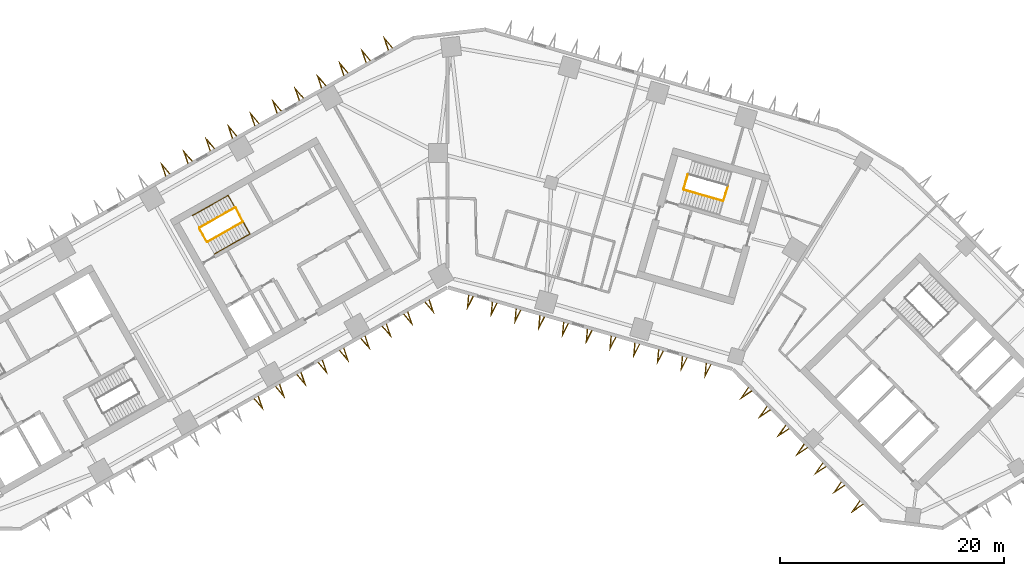
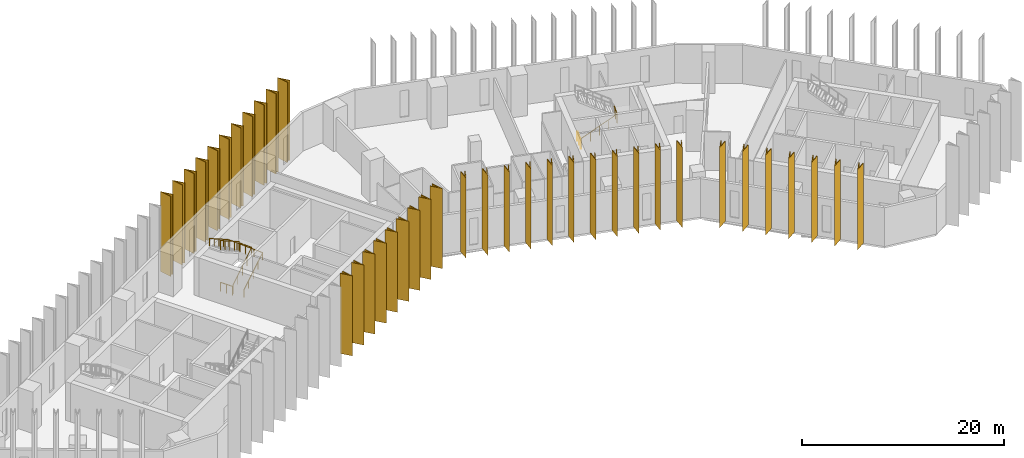
# One storey, part 10 of 11: 38 shading devices, 6 railings.
"""IFC4 building model written with IfcOpenShell, lengths in metres."""

from ifc_helpers import new_model, si_unit, direction, frame, origin, origin_2d, place, context, subcontext, project, spatial, polyline, circle, outline, extrude, material, type_object, element, save


model = new_model("IFC4")

# Units and contexts
model_context = context("Model", 3, precision=1e-05, world=origin(), true_north=direction((0.0, 1.0)))
body_context = subcontext(model_context, "Body", "Model", "MODEL_VIEW")
ifc_project = project(units=[si_unit("LENGTHUNIT", "METRE"), si_unit("AREAUNIT", "SQUARE_METRE"), si_unit("VOLUMEUNIT", "CUBIC_METRE"), si_unit("PLANEANGLEUNIT", "RADIAN"), si_unit("MASSUNIT", "GRAM", prefix="KILO")], contexts=[model_context])

# Site, building, storey
site_placement = place(None, origin())
site = spatial("IfcSite", under=ifc_project, at=site_placement, CompositionType="ELEMENT")
building_placement = place(site_placement, origin())
building = spatial("IfcBuilding", under=site, at=building_placement, Name="Binnacle Exchange Tower", CompositionType="ELEMENT")
storey_placement = place(building_placement, frame((0.0, 0.0, 66.5)))
storey = spatial("IfcBuildingStorey", under=building, at=storey_placement, Name="L13", CompositionType="ELEMENT", Elevation=66.5)

# Railings
ifc_material_1 = material(Name="Steel guard rail", Category="steel")
railing_type_1 = type_object("IfcRailingType", Name="STAIR GUARD 1100", PredefinedType="GUARDRAIL", material=ifc_material_1)
railing_1_placement = place(storey_placement, frame((-21.423828125, 52.07275390625, 0.178466796875)))
element("IfcRailing", 1, at=railing_1_placement, inside=storey, type_object=railing_type_1, Name="L13 STC1 stair guard 1", PredefinedType="GUARDRAIL", context=body_context, shape_type="SweptSolid", body=[
    extrude(circle(Radius=0.02392578125, at=origin_2d()), frame((0.0, 0.0, 1.076171875), z_axis=(0.733838880464, 0.415127627455, 0.537726278364), x_axis=(-0.492371057291, 0.870385398511, 0.0)), (0.0, 0.0, 1.0), 4.3173828125),
    extrude(circle(Radius=0.02392578125, at=origin_2d()), frame((3.168212890625, 1.792236328125, 3.3974609375), z_axis=(-0.461100321709, 0.887348011391, 0.0), x_axis=(-0.887348011391, -0.461100321709, 0.0)), (0.0, 0.0, 1.0), 1.40087890625),
    extrude(circle(Radius=0.02099609375, at=origin_2d()), origin(), (0.0, 0.0, 1.0), 1.052001953125),
    extrude(circle(Radius=0.02099609375, at=origin_2d()), frame((0.7919921875, 0.447998046875, 0.580322265625)), (0.0, 0.0, 1.0), 1.052001953125),
    extrude(circle(Radius=0.02099609375, at=origin_2d()), frame((1.583984375, 0.89599609375, 1.16064453125)), (0.0, 0.0, 1.0), 1.052001953125),
    extrude(circle(Radius=0.02099609375, at=origin_2d()), frame((2.376220703125, 1.34423828125, 1.7412109375)), (0.0, 0.0, 1.0), 1.052001953125),
    extrude(circle(Radius=0.02099609375, at=origin_2d()), frame((3.168212890625, 1.792236328125, 2.321533203125)), (0.0, 0.0, 1.0), 1.052001953125),
    extrude(circle(Radius=0.02099609375, at=origin_2d()), frame((2.84521484375, 2.413818359375, 2.321533203125)), (0.0, 0.0, 1.0), 1.052001953125),
    extrude(circle(Radius=0.02099609375, at=origin_2d()), frame((2.522216796875, 3.035400390625, 2.321533203125)), (0.0, 0.0, 1.0), 1.052001953125),
])
railing_2_placement = place(storey_placement, frame((-18.9697265625, 55.126953125, 2.678466796875)))
element("IfcRailing", 2, at=railing_2_placement, inside=storey, type_object=railing_type_1, Name="L13 STC1 stair guard 2", PredefinedType="GUARDRAIL", context=body_context, shape_type="SweptSolid", body=[
    extrude(circle(Radius=0.02392578125, at=origin_2d()), frame((0.0, 0.0, 1.076171875), z_axis=(-0.733812782489, -0.415144854829, 0.537748593457), x_axis=(0.492399802317, -0.870369137021, 0.0)), (0.0, 0.0, 1.0), 4.317138671875),
    extrude(circle(Radius=0.02099609375, at=origin_2d()), origin(), (0.0, 0.0, 1.0), 1.052001953125),
    extrude(circle(Radius=0.02099609375, at=origin_2d()), frame((-0.7919921875, -0.447998046875, 0.580322265625)), (0.0, 0.0, 1.0), 1.052001953125),
    extrude(circle(Radius=0.02099609375, at=origin_2d()), frame((-1.583984375, -0.89599609375, 1.16064453125)), (0.0, 0.0, 1.0), 1.052001953125),
    extrude(circle(Radius=0.02099609375, at=origin_2d()), frame((-2.3759765625, -1.34423828125, 1.7412109375)), (0.0, 0.0, 1.0), 1.052001953125),
    extrude(circle(Radius=0.02099609375, at=origin_2d()), frame((-3.16796875, -1.792236328125, 2.321533203125)), (0.0, 0.0, 1.0), 1.052001953125),
])
railing_3_placement = place(storey_placement, frame((-21.491943359375, 52.091552734375, 0.0)))
element("IfcRailing", 3, at=railing_3_placement, inside=storey, type_object=railing_type_1, Name="L13 STC1 stair guard 3", PredefinedType="GUARDRAIL", context=body_context, shape_type="SweptSolid", body=[
    extrude(circle(Radius=0.02392578125, at=origin_2d()), frame((0.0, 0.0, 1.076171875), z_axis=(-0.49241474071, 0.870360685654, 0.0), x_axis=(-0.870360685654, -0.49241474071, 0.0)), (0.0, 0.0, 1.0), 1.35009765625),
    extrude(circle(Radius=0.02099609375, at=origin_2d()), origin(), (0.0, 0.0, 1.0), 1.052001953125),
    extrude(circle(Radius=0.02099609375, at=origin_2d()), frame((-0.33251953125, 0.58740234375, 0.0)), (0.0, 0.0, 1.0), 1.052001953125),
    extrude(circle(Radius=0.02099609375, at=origin_2d()), frame((-0.664794921875, 1.175048828125, 0.0)), (0.0, 0.0, 1.0), 1.052001953125),
])
railing_4_placement = place(storey_placement, frame((21.086669921875, 56.71044921875, 0.178466796875)))
element("IfcRailing", 4, at=railing_4_placement, inside=storey, type_object=railing_type_1, Name="L13 STD1 stair guard 1", PredefinedType="GUARDRAIL", context=body_context, shape_type="SweptSolid", body=[
    extrude(circle(Radius=0.02392578125, at=origin_2d()), frame((0.0, 0.0, 1.076171875), z_axis=(0.810455892038, -0.232415135102, 0.537721537635), x_axis=(0.275659984683, 0.961255206927, 0.0)), (0.0, 0.0, 1.0), 4.3173828125),
    extrude(circle(Radius=0.02392578125, at=origin_2d()), frame((3.4990234375, -1.00341796875, 3.3974609375), z_axis=(0.309684985722, 0.950839213337, 0.0), x_axis=(-0.950839213337, 0.309684985722, 0.0)), (0.0, 0.0, 1.0), 1.40087890625),
    extrude(circle(Radius=0.02099609375, at=origin_2d()), origin(), (0.0, 0.0, 1.0), 1.052001953125),
    extrude(circle(Radius=0.02099609375, at=origin_2d()), frame((0.874755859375, -0.2509765625, 0.580322265625)), (0.0, 0.0, 1.0), 1.052001953125),
    extrude(circle(Radius=0.02099609375, at=origin_2d()), frame((1.74951171875, -0.501708984375, 1.16064453125)), (0.0, 0.0, 1.0), 1.052001953125),
    extrude(circle(Radius=0.02099609375, at=origin_2d()), frame((2.624267578125, -0.75244140625, 1.7412109375)), (0.0, 0.0, 1.0), 1.052001953125),
    extrude(circle(Radius=0.02099609375, at=origin_2d()), frame((3.4990234375, -1.00341796875, 2.321533203125)), (0.0, 0.0, 1.0), 1.052001953125),
    extrude(circle(Radius=0.02099609375, at=origin_2d()), frame((3.7158203125, -0.33740234375, 2.321533203125)), (0.0, 0.0, 1.0), 1.052001953125),
    extrude(circle(Radius=0.02099609375, at=origin_2d()), frame((3.932861328125, 0.32861328125, 2.321533203125)), (0.0, 0.0, 1.0), 1.052001953125),
])
railing_5_placement = place(storey_placement, frame((21.05224609375, 56.772216796875, 0.0)))
element("IfcRailing", 5, at=railing_5_placement, inside=storey, type_object=railing_type_1, Name="L13 STD1 stair guard 3", PredefinedType="GUARDRAIL", context=body_context, shape_type="SweptSolid", body=[
    extrude(circle(Radius=0.02392578125, at=origin_2d()), frame((0.0, 0.0, 1.076171875), z_axis=(0.275795817769, 0.961216243569, 0.0), x_axis=(-0.961216243569, 0.275795817769, 0.0)), (0.0, 0.0, 1.0), 1.349853515625),
    extrude(circle(Radius=0.02099609375, at=origin_2d()), origin(), (0.0, 0.0, 1.0), 1.052001953125),
    extrude(circle(Radius=0.02099609375, at=origin_2d()), frame((0.18603515625, 0.64892578125, 0.0)), (0.0, 0.0, 1.0), 1.052001953125),
    extrude(circle(Radius=0.02099609375, at=origin_2d()), frame((0.372314453125, 1.297607421875, 0.0)), (0.0, 0.0, 1.0), 1.052001953125),
])
ifc_material_2 = material(Name="Steel handrail", Category="steel")
railing_type_2 = type_object("IfcRailingType", Name="STAIR HANDRAIL 900", PredefinedType="HANDRAIL", material=ifc_material_2)
railing_6_placement = place(storey_placement, frame((-20.808349609375, 50.984619140625, 0.178466796875)))
element("IfcRailing", 6, at=railing_6_placement, inside=storey, type_object=railing_type_2, Name="L13 STC1 stair handrail 1", PredefinedType="HANDRAIL", context=body_context, shape_type="SweptSolid", body=[
    extrude(circle(Radius=0.02392578125, at=origin_2d()), frame((0.0, 0.0, 0.8759765625), z_axis=(0.733821652932, 0.415174429824, 0.537713654753), x_axis=(-0.492421866095, 0.870356654361, 0.0)), (0.0, 0.0, 1.0), 4.3173828125),
    extrude(circle(Radius=0.02392578125, at=origin_2d()), frame((3.168212890625, 1.79248046875, 3.197265625), z_axis=(-0.491911810019, 0.86947434526, 0.045134621956), x_axis=(-0.870361318571, -0.492413622004, 0.0)), (0.0, 0.0, 1.0), 3.9541015625),
    extrude(circle(Radius=0.02392578125, at=origin_2d()), frame((1.22314453125, 5.23046875, 3.3759765625), z_axis=(-0.733821652932, -0.415174429824, 0.537713654753), x_axis=(0.492421866095, -0.870356654361, 0.0)), (0.0, 0.0, 1.0), 4.3173828125),
    extrude(circle(Radius=0.02099609375, at=origin_2d()), origin(), (0.0, 0.0, 1.0), 0.851806640625),
    extrude(circle(Radius=0.02099609375, at=origin_2d()), frame((0.7919921875, 0.4482421875, 0.580322265625)), (0.0, 0.0, 1.0), 0.851806640625),
    extrude(circle(Radius=0.02099609375, at=origin_2d()), frame((1.583984375, 0.896240234375, 1.16064453125)), (0.0, 0.0, 1.0), 0.851806640625),
    extrude(circle(Radius=0.02099609375, at=origin_2d()), frame((2.376220703125, 1.34423828125, 1.7412109375)), (0.0, 0.0, 1.0), 0.851806640625),
    extrude(circle(Radius=0.02099609375, at=origin_2d()), frame((3.168212890625, 1.79248046875, 2.321533203125)), (0.0, 0.0, 1.0), 0.851806640625),
    extrude(circle(Radius=0.02099609375, at=origin_2d()), frame((2.681884765625, 2.65185546875, 2.3662109375)), (0.0, 0.0, 1.0), 0.851806640625),
    extrude(circle(Radius=0.02099609375, at=origin_2d()), frame((2.19580078125, 3.511474609375, 2.41064453125)), (0.0, 0.0, 1.0), 0.851806640625),
    extrude(circle(Radius=0.02099609375, at=origin_2d()), frame((1.70947265625, 4.37109375, 2.455322265625)), (0.0, 0.0, 1.0), 0.851806640625),
    extrude(circle(Radius=0.02099609375, at=origin_2d()), frame((1.22314453125, 5.23046875, 2.5)), (0.0, 0.0, 1.0), 0.851806640625),
    extrude(circle(Radius=0.02099609375, at=origin_2d()), frame((0.43115234375, 4.7822265625, 3.080322265625)), (0.0, 0.0, 1.0), 0.851806640625),
    extrude(circle(Radius=0.02099609375, at=origin_2d()), frame((-0.36083984375, 4.334228515625, 3.66064453125)), (0.0, 0.0, 1.0), 0.851806640625),
    extrude(circle(Radius=0.02099609375, at=origin_2d()), frame((-1.153076171875, 3.88623046875, 4.2412109375)), (0.0, 0.0, 1.0), 0.851806640625),
    extrude(circle(Radius=0.02099609375, at=origin_2d()), frame((-1.945068359375, 3.43798828125, 4.821533203125)), (0.0, 0.0, 1.0), 0.851806640625),
])

# Shading devices
ifc_material_3 = material(Name="Bronze aluminium cladding", Category="aluminium")
shading_device_type = type_object("IfcShadingDeviceType", Name="V FIN 1300 DEEP x 9680 HIGH", PredefinedType="USERDEFINED", material=ifc_material_3)
shading_device_1_placement = place(storey_placement, origin())
element("IfcShadingDevice", 7, at=shading_device_1_placement, inside=storey, type_object=shading_device_type, Name="V fin FN-F03-01 L13", ObjectType="FIN", PredefinedType="USERDEFINED", context=body_context, shape_type="SweptSolid", body=[
    extrude(outline(polyline([(-4.88916015625, 69.40625), (-5.746826171875, 70.41455078125), (-5.32421875, 69.159912109375), (-5.25341796875, 69.2001953125), (-5.5380859375, 70.0458984375), (-4.9599609375, 69.3662109375), (-4.88916015625, 69.40625)])), origin(), (0.0, 0.0, 1.0), 9.679931640625),
])
shading_device_2_placement = place(storey_placement, origin())
element("IfcShadingDevice", 8, at=shading_device_2_placement, inside=storey, type_object=shading_device_type, Name="V fin FN-F03-02 L13", ObjectType="FIN", PredefinedType="USERDEFINED", context=body_context, shape_type="SweptSolid", body=[
    extrude(outline(polyline([(-6.87548828125, 68.2822265625), (-7.7333984375, 69.290771484375), (-7.310791015625, 68.0361328125), (-7.239990234375, 68.076171875), (-7.524658203125, 68.922119140625), (-6.946533203125, 68.2421875), (-6.87548828125, 68.2822265625)])), origin(), (0.0, 0.0, 1.0), 9.679931640625),
])
shading_device_3_placement = place(storey_placement, origin())
element("IfcShadingDevice", 9, at=shading_device_3_placement, inside=storey, type_object=shading_device_type, Name="V fin FN-F03-03 L13", ObjectType="FIN", PredefinedType="USERDEFINED", context=body_context, shape_type="SweptSolid", body=[
    extrude(outline(polyline([(-8.862060546875, 67.158203125), (-9.719970703125, 68.166748046875), (-9.29736328125, 66.912109375), (-9.226318359375, 66.9521484375), (-9.51123046875, 67.798095703125), (-8.93310546875, 67.1181640625), (-8.862060546875, 67.158203125)])), origin(), (0.0, 0.0, 1.0), 9.679931640625),
])
shading_device_4_placement = place(storey_placement, origin())
element("IfcShadingDevice", 10, at=shading_device_4_placement, inside=storey, type_object=shading_device_type, Name="V fin FN-F03-04 L13", ObjectType="FIN", PredefinedType="USERDEFINED", context=body_context, shape_type="SweptSolid", body=[
    extrude(outline(polyline([(-10.8486328125, 66.034423828125), (-11.70654296875, 67.042724609375), (-11.283935546875, 65.7880859375), (-11.212890625, 65.828369140625), (-11.497802734375, 66.674072265625), (-10.919677734375, 65.994384765625), (-10.8486328125, 66.034423828125)])), origin(), (0.0, 0.0, 1.0), 9.679931640625),
])
shading_device_5_placement = place(storey_placement, origin())
element("IfcShadingDevice", 11, at=shading_device_5_placement, inside=storey, type_object=shading_device_type, Name="V fin FN-F03-05 L13", ObjectType="FIN", PredefinedType="USERDEFINED", context=body_context, shape_type="SweptSolid", body=[
    extrude(outline(polyline([(-12.835205078125, 64.910400390625), (-13.693115234375, 65.9189453125), (-13.2705078125, 64.664306640625), (-13.199462890625, 64.704345703125), (-13.484375, 65.55029296875), (-12.906005859375, 64.870361328125), (-12.835205078125, 64.910400390625)])), origin(), (0.0, 0.0, 1.0), 9.679931640625),
])
shading_device_6_placement = place(storey_placement, origin())
element("IfcShadingDevice", 12, at=shading_device_6_placement, inside=storey, type_object=shading_device_type, Name="V fin FN-F03-06 L13", ObjectType="FIN", PredefinedType="USERDEFINED", context=body_context, shape_type="SweptSolid", body=[
    extrude(outline(polyline([(-14.82177734375, 63.78662109375), (-15.6796875, 64.794921875), (-15.257080078125, 63.540283203125), (-15.18603515625, 63.580322265625), (-15.470947265625, 64.42626953125), (-14.892578125, 63.746337890625), (-14.82177734375, 63.78662109375)])), origin(), (0.0, 0.0, 1.0), 9.679931640625),
])
shading_device_7_placement = place(storey_placement, origin())
element("IfcShadingDevice", 13, at=shading_device_7_placement, inside=storey, type_object=shading_device_type, Name="V fin FN-F03-07 L13", ObjectType="FIN", PredefinedType="USERDEFINED", context=body_context, shape_type="SweptSolid", body=[
    extrude(outline(polyline([(-16.808349609375, 62.66259765625), (-17.666015625, 63.6708984375), (-17.243408203125, 62.41650390625), (-17.172607421875, 62.45654296875), (-17.45751953125, 63.30224609375), (-16.879150390625, 62.62255859375), (-16.808349609375, 62.66259765625)])), origin(), (0.0, 0.0, 1.0), 9.679931640625),
])
shading_device_8_placement = place(storey_placement, origin())
element("IfcShadingDevice", 14, at=shading_device_8_placement, inside=storey, type_object=shading_device_type, Name="V fin FN-F03-08 L13", ObjectType="FIN", PredefinedType="USERDEFINED", context=body_context, shape_type="SweptSolid", body=[
    extrude(outline(polyline([(-18.794921875, 61.53857421875), (-19.652587890625, 62.547119140625), (-19.22998046875, 61.29248046875), (-19.1591796875, 61.33251953125), (-19.444091796875, 62.17822265625), (-18.86572265625, 61.49853515625), (-18.794921875, 61.53857421875)])), origin(), (0.0, 0.0, 1.0), 9.679931640625),
])
shading_device_9_placement = place(storey_placement, origin())
element("IfcShadingDevice", 15, at=shading_device_9_placement, inside=storey, type_object=shading_device_type, Name="V fin FN-F03-09 L13", ObjectType="FIN", PredefinedType="USERDEFINED", context=body_context, shape_type="SweptSolid", body=[
    extrude(outline(polyline([(-20.781494140625, 60.414794921875), (-21.639404296875, 61.423095703125), (-21.216796875, 60.16845703125), (-21.145751953125, 60.20849609375), (-21.4306640625, 61.054443359375), (-20.852294921875, 60.37451171875), (-20.781494140625, 60.414794921875)])), origin(), (0.0, 0.0, 1.0), 9.679931640625),
])
shading_device_10_placement = place(storey_placement, origin())
element("IfcShadingDevice", 16, at=shading_device_10_placement, inside=storey, type_object=shading_device_type, Name="V fin FN-F03-10 L13", ObjectType="FIN", PredefinedType="USERDEFINED", context=body_context, shape_type="SweptSolid", body=[
    extrude(outline(polyline([(-22.76806640625, 59.290771484375), (-23.625732421875, 60.29931640625), (-23.203125, 59.044677734375), (-23.13232421875, 59.084716796875), (-23.4169921875, 59.930419921875), (-22.8388671875, 59.250732421875), (-22.76806640625, 59.290771484375)])), origin(), (0.0, 0.0, 1.0), 9.679931640625),
])
shading_device_11_placement = place(storey_placement, origin())
element("IfcShadingDevice", 17, at=shading_device_11_placement, inside=storey, type_object=shading_device_type, Name="V fin FN-F03-11 L13", ObjectType="FIN", PredefinedType="USERDEFINED", context=body_context, shape_type="SweptSolid", body=[
    extrude(outline(polyline([(-24.754638671875, 58.166748046875), (-25.6123046875, 59.17529296875), (-25.189697265625, 57.920654296875), (-25.118896484375, 57.960693359375), (-25.40380859375, 58.806396484375), (-24.825439453125, 58.126708984375), (-24.754638671875, 58.166748046875)])), origin(), (0.0, 0.0, 1.0), 9.679931640625),
])
shading_device_12_placement = place(storey_placement, origin())
element("IfcShadingDevice", 18, at=shading_device_12_placement, inside=storey, type_object=shading_device_type, Name="V fin FN-F07-11 L13", ObjectType="FIN", PredefinedType="USERDEFINED", context=body_context, shape_type="SweptSolid", body=[
    extrude(outline(polyline([(-17.28759765625, 38.046875), (-16.429931640625, 37.038330078125), (-16.8525390625, 38.29296875), (-16.92333984375, 38.2529296875), (-16.638671875, 37.406982421875), (-17.216796875, 38.0869140625), (-17.28759765625, 38.046875)])), origin(), (0.0, 0.0, 1.0), 9.679931640625),
])
shading_device_13_placement = place(storey_placement, origin())
element("IfcShadingDevice", 19, at=shading_device_13_placement, inside=storey, type_object=shading_device_type, Name="V fin FN-F07-12 L13", ObjectType="FIN", PredefinedType="USERDEFINED", context=body_context, shape_type="SweptSolid", body=[
    extrude(outline(polyline([(-15.3828125, 39.12451171875), (-14.525146484375, 38.1162109375), (-14.94775390625, 39.37060546875), (-15.0185546875, 39.33056640625), (-14.73388671875, 38.48486328125), (-15.31201171875, 39.16455078125), (-15.3828125, 39.12451171875)])), origin(), (0.0, 0.0, 1.0), 9.679931640625),
])
shading_device_14_placement = place(storey_placement, origin())
element("IfcShadingDevice", 20, at=shading_device_14_placement, inside=storey, type_object=shading_device_type, Name="V fin FN-F07-13 L13", ObjectType="FIN", PredefinedType="USERDEFINED", context=body_context, shape_type="SweptSolid", body=[
    extrude(outline(polyline([(-13.477783203125, 40.2021484375), (-12.6201171875, 39.19384765625), (-13.042724609375, 40.448486328125), (-13.113525390625, 40.408203125), (-12.828857421875, 39.5625), (-13.406982421875, 40.2421875), (-13.477783203125, 40.2021484375)])), origin(), (0.0, 0.0, 1.0), 9.679931640625),
])
shading_device_15_placement = place(storey_placement, origin())
element("IfcShadingDevice", 21, at=shading_device_15_placement, inside=storey, type_object=shading_device_type, Name="V fin FN-F07-14 L13", ObjectType="FIN", PredefinedType="USERDEFINED", context=body_context, shape_type="SweptSolid", body=[
    extrude(outline(polyline([(-11.572998046875, 41.280029296875), (-10.715087890625, 40.271484375), (-11.1376953125, 41.526123046875), (-11.208740234375, 41.486083984375), (-10.923828125, 40.640380859375), (-11.502197265625, 41.320068359375), (-11.572998046875, 41.280029296875)])), origin(), (0.0, 0.0, 1.0), 9.679931640625),
])
shading_device_16_placement = place(storey_placement, origin())
element("IfcShadingDevice", 22, at=shading_device_16_placement, inside=storey, type_object=shading_device_type, Name="V fin FN-F07-15 L13", ObjectType="FIN", PredefinedType="USERDEFINED", context=body_context, shape_type="SweptSolid", body=[
    extrude(outline(polyline([(-9.668212890625, 42.357666015625), (-8.810302734375, 41.349365234375), (-9.23291015625, 42.60400390625), (-9.303955078125, 42.563720703125), (-9.01904296875, 41.718017578125), (-9.597412109375, 42.397705078125), (-9.668212890625, 42.357666015625)])), origin(), (0.0, 0.0, 1.0), 9.679931640625),
])
shading_device_17_placement = place(storey_placement, origin())
element("IfcShadingDevice", 23, at=shading_device_17_placement, inside=storey, type_object=shading_device_type, Name="V fin FN-F07-16 L13", ObjectType="FIN", PredefinedType="USERDEFINED", context=body_context, shape_type="SweptSolid", body=[
    extrude(outline(polyline([(-7.76318359375, 43.435302734375), (-6.905517578125, 42.427001953125), (-7.327880859375, 43.681640625), (-7.39892578125, 43.6416015625), (-7.114013671875, 42.795654296875), (-7.6923828125, 43.4755859375), (-7.76318359375, 43.435302734375)])), origin(), (0.0, 0.0, 1.0), 9.679931640625),
])
shading_device_18_placement = place(storey_placement, origin())
element("IfcShadingDevice", 24, at=shading_device_18_placement, inside=storey, type_object=shading_device_type, Name="V fin FN-F07-17 L13", ObjectType="FIN", PredefinedType="USERDEFINED", context=body_context, shape_type="SweptSolid", body=[
    extrude(outline(polyline([(-5.8583984375, 44.51318359375), (-5.00048828125, 43.5048828125), (-5.423095703125, 44.759521484375), (-5.494140625, 44.71923828125), (-5.209228515625, 43.87353515625), (-5.78759765625, 44.55322265625), (-5.8583984375, 44.51318359375)])), origin(), (0.0, 0.0, 1.0), 9.679931640625),
])
shading_device_19_placement = place(storey_placement, origin())
element("IfcShadingDevice", 25, at=shading_device_19_placement, inside=storey, type_object=shading_device_type, Name="V fin FN-F07-18 L13", ObjectType="FIN", PredefinedType="USERDEFINED", context=body_context, shape_type="SweptSolid", body=[
    extrude(outline(polyline([(-3.95361328125, 45.5908203125), (-3.095703125, 44.58251953125), (-3.518310546875, 45.837158203125), (-3.589111328125, 45.797119140625), (-3.304443359375, 44.951171875), (-3.882568359375, 45.631103515625), (-3.95361328125, 45.5908203125)])), origin(), (0.0, 0.0, 1.0), 9.679931640625),
])
shading_device_20_placement = place(storey_placement, origin())
element("IfcShadingDevice", 26, at=shading_device_20_placement, inside=storey, type_object=shading_device_type, Name="V fin FN-F07-19 L13", ObjectType="FIN", PredefinedType="USERDEFINED", context=body_context, shape_type="SweptSolid", body=[
    extrude(outline(polyline([(-2.048583984375, 46.668701171875), (-1.19091796875, 45.660400390625), (-1.61328125, 46.914794921875), (-1.684326171875, 46.874755859375), (-1.3994140625, 46.029052734375), (-1.977783203125, 46.708740234375), (-2.048583984375, 46.668701171875)])), origin(), (0.0, 0.0, 1.0), 9.679931640625),
])
shading_device_21_placement = place(storey_placement, origin())
element("IfcShadingDevice", 27, at=shading_device_21_placement, inside=storey, type_object=shading_device_type, Name="V fin FN-F08-01 L13", ObjectType="FIN", PredefinedType="USERDEFINED", context=body_context, shape_type="SweptSolid", body=[
    extrude(outline(polyline([(1.837890625, 47.31689453125), (1.719970703125, 45.998291015625), (2.318603515625, 47.17919921875), (2.240234375, 47.201416015625), (1.836669921875, 46.405517578125), (1.916259765625, 47.29443359375), (1.837890625, 47.31689453125)])), origin(), (0.0, 0.0, 1.0), 9.679931640625),
])
shading_device_22_placement = place(storey_placement, origin())
element("IfcShadingDevice", 28, at=shading_device_22_placement, inside=storey, type_object=shading_device_type, Name="V fin FN-F08-02 L13", ObjectType="FIN", PredefinedType="USERDEFINED", context=body_context, shape_type="SweptSolid", body=[
    extrude(outline(polyline([(3.957763671875, 46.708984375), (3.839599609375, 45.390625), (4.438232421875, 46.5712890625), (4.360107421875, 46.59375), (3.956298828125, 45.7978515625), (4.035888671875, 46.686767578125), (3.957763671875, 46.708984375)])), origin(), (0.0, 0.0, 1.0), 9.679931640625),
])
shading_device_23_placement = place(storey_placement, origin())
element("IfcShadingDevice", 29, at=shading_device_23_placement, inside=storey, type_object=shading_device_type, Name="V fin FN-F08-03 L13", ObjectType="FIN", PredefinedType="USERDEFINED", context=body_context, shape_type="SweptSolid", body=[
    extrude(outline(polyline([(6.077392578125, 46.101318359375), (5.95947265625, 44.78271484375), (6.55810546875, 45.96337890625), (6.479736328125, 45.98583984375), (6.076171875, 45.18994140625), (6.15576171875, 46.078857421875), (6.077392578125, 46.101318359375)])), origin(), (0.0, 0.0, 1.0), 9.679931640625),
])
shading_device_24_placement = place(storey_placement, origin())
element("IfcShadingDevice", 30, at=shading_device_24_placement, inside=storey, type_object=shading_device_type, Name="V fin FN-F08-04 L13", ObjectType="FIN", PredefinedType="USERDEFINED", context=body_context, shape_type="SweptSolid", body=[
    extrude(outline(polyline([(8.197021484375, 45.493408203125), (8.0791015625, 44.175048828125), (8.677734375, 45.355712890625), (8.599365234375, 45.378173828125), (8.19580078125, 44.582275390625), (8.275390625, 45.47119140625), (8.197021484375, 45.493408203125)])), origin(), (0.0, 0.0, 1.0), 9.679931640625),
])
shading_device_25_placement = place(storey_placement, origin())
element("IfcShadingDevice", 31, at=shading_device_25_placement, inside=storey, type_object=shading_device_type, Name="V fin FN-F08-05 L13", ObjectType="FIN", PredefinedType="USERDEFINED", context=body_context, shape_type="SweptSolid", body=[
    extrude(outline(polyline([(10.316650390625, 44.8857421875), (10.19873046875, 43.567138671875), (10.79736328125, 44.747802734375), (10.718994140625, 44.770263671875), (10.3154296875, 43.974365234375), (10.39501953125, 44.86328125), (10.316650390625, 44.8857421875)])), origin(), (0.0, 0.0, 1.0), 9.679931640625),
])
shading_device_26_placement = place(storey_placement, origin())
element("IfcShadingDevice", 32, at=shading_device_26_placement, inside=storey, type_object=shading_device_type, Name="V fin FN-F08-06 L13", ObjectType="FIN", PredefinedType="USERDEFINED", context=body_context, shape_type="SweptSolid", body=[
    extrude(outline(polyline([(12.436279296875, 44.27783203125), (12.318359375, 42.95947265625), (12.9169921875, 44.14013671875), (12.838623046875, 44.16259765625), (12.43505859375, 43.36669921875), (12.5146484375, 44.255615234375), (12.436279296875, 44.27783203125)])), origin(), (0.0, 0.0, 1.0), 9.679931640625),
])
shading_device_27_placement = place(storey_placement, origin())
element("IfcShadingDevice", 33, at=shading_device_27_placement, inside=storey, type_object=shading_device_type, Name="V fin FN-F08-07 L13", ObjectType="FIN", PredefinedType="USERDEFINED", context=body_context, shape_type="SweptSolid", body=[
    extrude(outline(polyline([(14.55615234375, 43.670166015625), (14.43798828125, 42.3515625), (15.03662109375, 43.5322265625), (14.95849609375, 43.5546875), (14.5546875, 42.7587890625), (14.634521484375, 43.647705078125), (14.55615234375, 43.670166015625)])), origin(), (0.0, 0.0, 1.0), 9.679931640625),
])
shading_device_28_placement = place(storey_placement, origin())
element("IfcShadingDevice", 34, at=shading_device_28_placement, inside=storey, type_object=shading_device_type, Name="V fin FN-F08-08 L13", ObjectType="FIN", PredefinedType="USERDEFINED", context=body_context, shape_type="SweptSolid", body=[
    extrude(outline(polyline([(16.67578125, 43.062255859375), (16.557861328125, 41.743896484375), (17.156494140625, 42.924560546875), (17.078125, 42.947021484375), (16.674560546875, 42.15087890625), (16.754150390625, 43.039794921875), (16.67578125, 43.062255859375)])), origin(), (0.0, 0.0, 1.0), 9.679931640625),
])
shading_device_29_placement = place(storey_placement, origin())
element("IfcShadingDevice", 35, at=shading_device_29_placement, inside=storey, type_object=shading_device_type, Name="V fin FN-F08-09 L13", ObjectType="FIN", PredefinedType="USERDEFINED", context=body_context, shape_type="SweptSolid", body=[
    extrude(outline(polyline([(18.79541015625, 42.454345703125), (18.677490234375, 41.135986328125), (19.276123046875, 42.316650390625), (19.19775390625, 42.339111328125), (18.794189453125, 41.543212890625), (18.873779296875, 42.431884765625), (18.79541015625, 42.454345703125)])), origin(), (0.0, 0.0, 1.0), 9.679931640625),
])
shading_device_30_placement = place(storey_placement, origin())
element("IfcShadingDevice", 36, at=shading_device_30_placement, inside=storey, type_object=shading_device_type, Name="V fin FN-F08-10 L13", ObjectType="FIN", PredefinedType="USERDEFINED", context=body_context, shape_type="SweptSolid", body=[
    extrude(outline(polyline([(20.9150390625, 41.8466796875), (20.797119140625, 40.528076171875), (21.395751953125, 41.708740234375), (21.3173828125, 41.731201171875), (20.913818359375, 40.935302734375), (20.993408203125, 41.82421875), (20.9150390625, 41.8466796875)])), origin(), (0.0, 0.0, 1.0), 9.679931640625),
])
shading_device_31_placement = place(storey_placement, origin())
element("IfcShadingDevice", 37, at=shading_device_31_placement, inside=storey, type_object=shading_device_type, Name="V fin FN-F08-11 L13", ObjectType="FIN", PredefinedType="USERDEFINED", context=body_context, shape_type="SweptSolid", body=[
    extrude(outline(polyline([(23.034912109375, 41.23876953125), (22.916748046875, 39.92041015625), (23.515380859375, 41.10107421875), (23.43701171875, 41.123291015625), (23.033447265625, 40.327392578125), (23.113037109375, 41.21630859375), (23.034912109375, 41.23876953125)])), origin(), (0.0, 0.0, 1.0), 9.679931640625),
])
shading_device_32_placement = place(storey_placement, origin())
element("IfcShadingDevice", 38, at=shading_device_32_placement, inside=storey, type_object=shading_device_type, Name="V fin FN-F09-01 L13", ObjectType="FIN", PredefinedType="USERDEFINED", context=body_context, shape_type="SweptSolid", body=[
    extrude(outline(polyline([(26.810791015625, 39.093505859375), (26.05859375, 38.00390625), (27.1611328125, 38.73681640625), (27.10400390625, 38.794921875), (26.36083984375, 38.30078125), (26.867919921875, 39.035400390625), (26.810791015625, 39.093505859375)])), origin(), (0.0, 0.0, 1.0), 9.679931640625),
])
shading_device_33_placement = place(storey_placement, origin())
element("IfcShadingDevice", 39, at=shading_device_33_placement, inside=storey, type_object=shading_device_type, Name="V fin FN-F09-02 L13", ObjectType="FIN", PredefinedType="USERDEFINED", context=body_context, shape_type="SweptSolid", body=[
    extrude(outline(polyline([(28.467529296875, 37.407470703125), (27.715576171875, 36.31787109375), (28.818115234375, 37.05078125), (28.760986328125, 37.10888671875), (28.017578125, 36.61474609375), (28.524658203125, 37.349365234375), (28.467529296875, 37.407470703125)])), origin(), (0.0, 0.0, 1.0), 9.679931640625),
])
shading_device_34_placement = place(storey_placement, origin())
element("IfcShadingDevice", 40, at=shading_device_34_placement, inside=storey, type_object=shading_device_type, Name="V fin FN-F09-03 L13", ObjectType="FIN", PredefinedType="USERDEFINED", context=body_context, shape_type="SweptSolid", body=[
    extrude(outline(polyline([(30.12451171875, 35.721435546875), (29.372314453125, 34.632080078125), (30.474853515625, 35.364990234375), (30.417724609375, 35.423095703125), (29.674560546875, 34.928955078125), (30.181396484375, 35.663330078125), (30.12451171875, 35.721435546875)])), origin(), (0.0, 0.0, 1.0), 9.679931640625),
])
shading_device_35_placement = place(storey_placement, origin())
element("IfcShadingDevice", 41, at=shading_device_35_placement, inside=storey, type_object=shading_device_type, Name="V fin FN-F09-04 L13", ObjectType="FIN", PredefinedType="USERDEFINED", context=body_context, shape_type="SweptSolid", body=[
    extrude(outline(polyline([(31.78125, 34.035400390625), (31.029296875, 32.94580078125), (32.131591796875, 33.6787109375), (32.07470703125, 33.73681640625), (31.331298828125, 33.242919921875), (31.83837890625, 33.977294921875), (31.78125, 34.035400390625)])), origin(), (0.0, 0.0, 1.0), 9.679931640625),
])
shading_device_36_placement = place(storey_placement, origin())
element("IfcShadingDevice", 42, at=shading_device_36_placement, inside=storey, type_object=shading_device_type, Name="V fin FN-F09-05 L13", ObjectType="FIN", PredefinedType="USERDEFINED", context=body_context, shape_type="SweptSolid", body=[
    extrude(outline(polyline([(33.43798828125, 32.349365234375), (32.68603515625, 31.260009765625), (33.78857421875, 31.992919921875), (33.7314453125, 32.05078125), (32.98828125, 31.556884765625), (33.4951171875, 32.291259765625), (33.43798828125, 32.349365234375)])), origin(), (0.0, 0.0, 1.0), 9.679931640625),
])
shading_device_37_placement = place(storey_placement, origin())
element("IfcShadingDevice", 43, at=shading_device_37_placement, inside=storey, type_object=shading_device_type, Name="V fin FN-F09-06 L13", ObjectType="FIN", PredefinedType="USERDEFINED", context=body_context, shape_type="SweptSolid", body=[
    extrude(outline(polyline([(35.094970703125, 30.663330078125), (34.343017578125, 29.573974609375), (35.4453125, 30.306884765625), (35.38818359375, 30.364990234375), (34.64501953125, 29.870849609375), (35.152099609375, 30.605224609375), (35.094970703125, 30.663330078125)])), origin(), (0.0, 0.0, 1.0), 9.679931640625),
])
shading_device_38_placement = place(storey_placement, origin())
element("IfcShadingDevice", 44, at=shading_device_38_placement, inside=storey, type_object=shading_device_type, Name="V fin FN-F09-07 L13", ObjectType="FIN", PredefinedType="USERDEFINED", context=body_context, shape_type="SweptSolid", body=[
    extrude(outline(polyline([(36.751708984375, 28.977294921875), (35.999755859375, 27.887939453125), (37.102294921875, 28.620849609375), (37.045166015625, 28.678955078125), (36.302001953125, 28.184814453125), (36.808837890625, 28.919189453125), (36.751708984375, 28.977294921875)])), origin(), (0.0, 0.0, 1.0), 9.679931640625),
])

save(model, "model.ifc")
